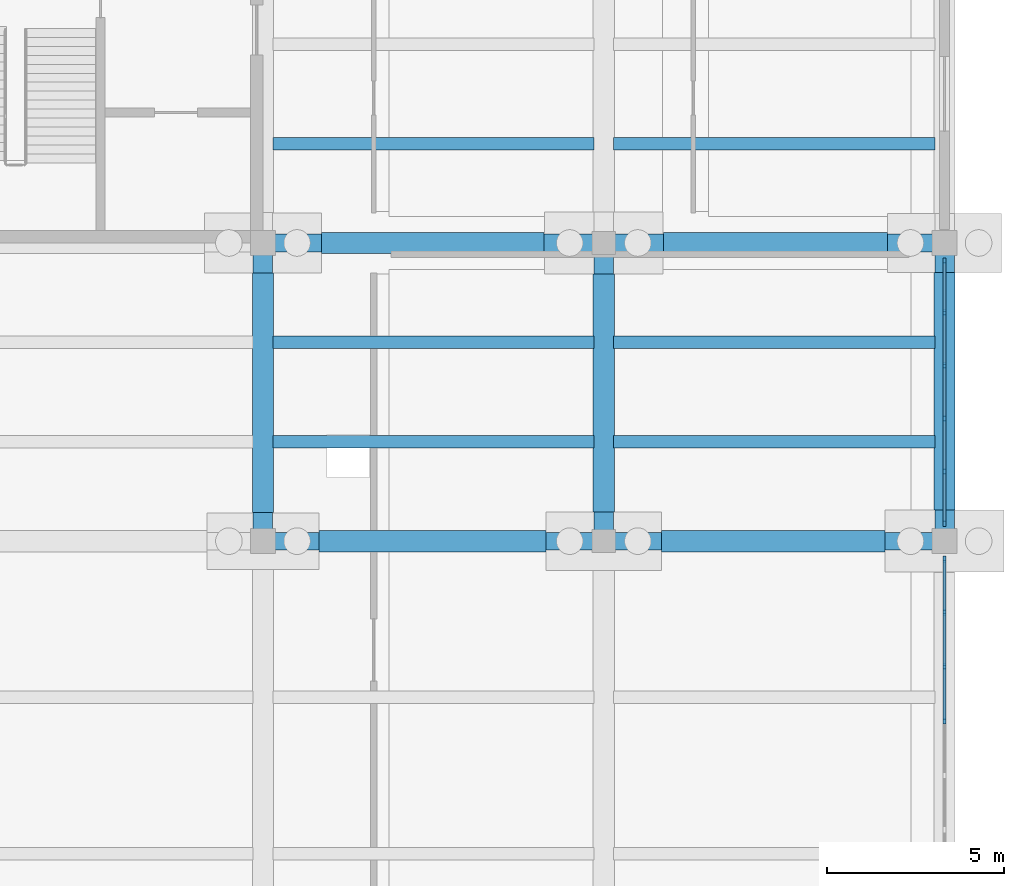
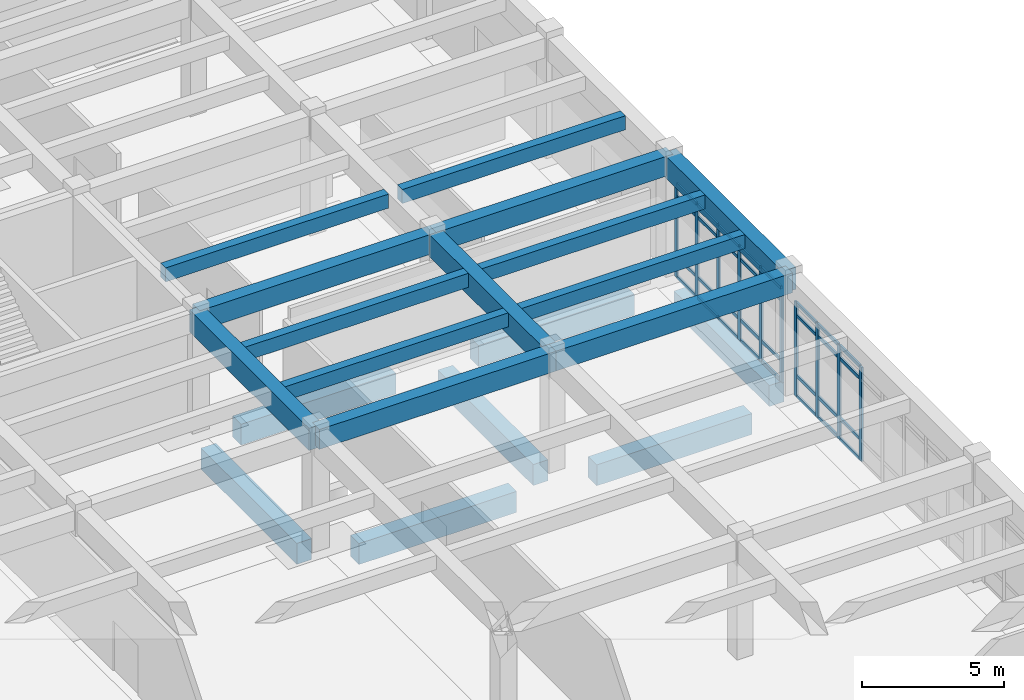
# One storey, part 48 of 102: 42 members, 20 beams, 2 elements without a shape of their own.
"""IFC4 building model written with IfcOpenShell, lengths in metres."""

from ifc_helpers import new_model, si_unit, direction, frame, origin, origin_2d, place, context, subcontext, project, spatial, rectangle, extrude, material, layer, layer_set, material_profile, profile_set, type_object, element, aggregate, save


model = new_model("IFC4")

# Units and contexts
model_context = context("Model", 3, precision=1e-05, world=origin(), true_north=direction((0.0, 1.0)))
body_context = subcontext(model_context, "Body", "Model", "MODEL_VIEW")
ifc_project = project(units=[si_unit("LENGTHUNIT", "METRE"), si_unit("AREAUNIT", "SQUARE_METRE"), si_unit("VOLUMEUNIT", "CUBIC_METRE"), si_unit("PLANEANGLEUNIT", "RADIAN"), si_unit("MASSUNIT", "GRAM", prefix="KILO")], contexts=[model_context])

# Site, building, storey
site_placement = place(None, origin())
site = spatial("IfcSite", under=ifc_project, at=site_placement, CompositionType="ELEMENT")
building_placement = place(site_placement, origin())
building = spatial("IfcBuilding", under=site, at=building_placement, Name="Kolvemor Railside Polytechnic", CompositionType="ELEMENT")
storey_placement = place(building_placement, origin())
storey = spatial("IfcBuildingStorey", under=building, at=storey_placement, Name="L00", CompositionType="ELEMENT", Elevation=0.0)

# Beams
ifc_material_1 = material(Name="Concrete C40/50", Category="concrete")
ifc_material_profile_1 = material_profile(ifc_material_1, rectangle(XDim=0.550048828125, YDim=0.949951171875, at=origin_2d()), Name="RC550x950")
ifc_profile_set_1 = profile_set([ifc_material_profile_1], Name="Concrete C40/50")
beam_type_1 = type_object("IfcBeamType", Name="BM-RC-GIRD", PredefinedType="BEAM", material=ifc_profile_set_1)
for number, where, z_axis, x_axis, name in (
    (1, (163.199951171875, 51.60009765625, 4.635009765625), (0.0, 1.0, 0.0), (-1.0, 0.0, 0.0), "Primary Girder L01-GY 0401"),
    (2, (172.800048828125, 51.60009765625, 4.635009765625), (0.0, 1.0, 0.0), (-1.0, 0.0, 0.0), "Primary Girder L01-GY 0410"),
    (3, (182.39990234375, 51.60009765625, 4.635009765625), (0.0, 1.0, 0.0), (-1.0, 0.0, 0.0), "Primary Girder L01-GY 0419"),
):
    element("IfcBeam", number, at=place(storey_placement, frame(where, z_axis=z_axis, x_axis=x_axis)), inside=storey, type_object=beam_type_1, Name=name, PredefinedType="BEAM", context=body_context, shape_type="SweptSolid", body=[
        extrude(rectangle(XDim=0.550048828125, YDim=0.949951171875, at=origin_2d()), origin(), (0.0, 0.0, 1.0), 8.39990234375),
    ])
ifc_material_2 = material(Name="Concrete C40/50", Category="concrete")
ifc_material_profile_2 = material_profile(ifc_material_2, rectangle(XDim=0.5, YDim=0.85009765625, at=origin_2d()), Name="RC500x850")
ifc_profile_set_2 = profile_set([ifc_material_profile_2], Name="Concrete C40/50")
beam_type_2 = type_object("IfcBeamType", Name="BM-RC-GIRD3", PredefinedType="BEAM", material=ifc_profile_set_2)
beam_1_placement = place(storey_placement, frame((163.199951171875, 51.60009765625, 4.68505859375), z_axis=(1.0, 0.0, 0.0), x_axis=(0.0, 1.0, 0.0)))
element("IfcBeam", 4, at=beam_1_placement, inside=storey, type_object=beam_type_2, Name="Primary Girder L01-GX 0360", PredefinedType="BEAM", context=body_context, shape_type="SweptSolid", body=[
    extrude(rectangle(XDim=0.5, YDim=0.85009765625, at=origin_2d()), origin(), (0.0, 0.0, 1.0), 9.60009765625),
])
beam_2_placement = place(storey_placement, frame((172.800048828125, 51.60009765625, 4.68505859375), z_axis=(1.0, 0.0, 0.0), x_axis=(0.0, 1.0, 0.0)))
element("IfcBeam", 5, at=beam_2_placement, inside=storey, type_object=beam_type_2, Name="Primary Girder L01-GX 0361", PredefinedType="BEAM", context=body_context, shape_type="SweptSolid", body=[
    extrude(rectangle(XDim=0.5, YDim=0.85009765625, at=origin_2d()), origin(), (0.0, 0.0, 1.0), 9.599853515625),
])
beam_3_placement = place(storey_placement, frame((163.199951171875, 60.0, 4.68505859375), z_axis=(1.0, 0.0, 0.0), x_axis=(0.0, 1.0, 0.0)))
element("IfcBeam", 6, at=beam_3_placement, inside=storey, type_object=beam_type_2, Name="Primary Girder L01-GX 0364", PredefinedType="BEAM", context=body_context, shape_type="SweptSolid", body=[
    extrude(rectangle(XDim=0.5, YDim=0.85009765625, at=origin_2d()), origin(), (0.0, 0.0, 1.0), 9.60009765625),
])
beam_4_placement = place(storey_placement, frame((172.800048828125, 60.0, 4.68505859375), z_axis=(1.0, 0.0, 0.0), x_axis=(0.0, 1.0, 0.0)))
element("IfcBeam", 7, at=beam_4_placement, inside=storey, type_object=beam_type_2, Name="Primary Girder L01-GX 0365", PredefinedType="BEAM", context=body_context, shape_type="SweptSolid", body=[
    extrude(rectangle(XDim=0.5, YDim=0.85009765625, at=origin_2d()), origin(), (0.0, 0.0, 1.0), 9.599853515625),
])
ifc_material_3 = material(Name="Concrete C40/50", Category="concrete")
ifc_material_profile_3 = material_profile(ifc_material_3, rectangle(XDim=0.35009765625, YDim=0.60009765625, at=origin_2d()), Name="RC350x600")
ifc_profile_set_3 = profile_set([ifc_material_profile_3], Name="Concrete C40/50")
beam_type_3 = type_object("IfcBeamType", Name="BM-RC-SEC3", PredefinedType="JOIST", material=ifc_profile_set_3)
for number, where, z_axis, x_axis, name in (
    (8, (163.47509765625, 54.39990234375, 4.81005859375), (1.0, 0.0, 0.0), (0.0, 1.0, 0.0), "Floor Joist L01-J0465"),
    (9, (163.47509765625, 57.199951171875, 4.81005859375), (1.0, 0.0, 0.0), (0.0, 1.0, 0.0), "Floor Joist L01-J0466"),
    (10, (163.47509765625, 62.800048828125, 4.81005859375), (1.0, 0.0, 0.0), (0.0, 1.0, 0.0), "Floor Joist L01-J0467"),
):
    element("IfcBeam", number, at=place(storey_placement, frame(where, z_axis=z_axis, x_axis=x_axis)), inside=storey, type_object=beam_type_3, Name=name, PredefinedType="JOIST", context=body_context, shape_type="SweptSolid", body=[
        extrude(rectangle(XDim=0.35009765625, YDim=0.60009765625, at=origin_2d()), origin(), (0.0, 0.0, 1.0), 9.0498046875),
    ])
for number, where, z_axis, x_axis, name in (
    (11, (173.074951171875, 54.39990234375, 4.81005859375), (1.0, 0.0, 0.0), (0.0, 1.0, 0.0), "Floor Joist L01-J0483"),
    (12, (173.074951171875, 57.199951171875, 4.81005859375), (1.0, 0.0, 0.0), (0.0, 1.0, 0.0), "Floor Joist L01-J0484"),
    (13, (173.074951171875, 62.800048828125, 4.81005859375), (1.0, 0.0, 0.0), (0.0, 1.0, 0.0), "Floor Joist L01-J0485"),
):
    element("IfcBeam", number, at=place(storey_placement, frame(where, z_axis=z_axis, x_axis=x_axis)), inside=storey, type_object=beam_type_3, Name=name, PredefinedType="JOIST", context=body_context, shape_type="SweptSolid", body=[
        extrude(rectangle(XDim=0.35009765625, YDim=0.60009765625, at=origin_2d()), origin(), (0.0, 0.0, 1.0), 9.050048828125),
    ])
ifc_material_4 = material(Name="Concrete C40/50", Category="concrete")
ifc_material_profile_4 = material_profile(ifc_material_4, rectangle(XDim=0.60009765625, YDim=0.89990234375, at=origin_2d()), Name="RC600x900")
ifc_profile_set_4 = profile_set([ifc_material_profile_4], Name="Concrete C40/50")
beam_type_4 = type_object("IfcBeamType", Name="BM-RC-TIE", PredefinedType="BEAM", material=ifc_profile_set_4)
beam_5_placement = place(storey_placement, frame((164.777099609375, 51.60009765625, -0.75), z_axis=(1.0, 0.0, 0.0), x_axis=(0.0, 1.0, 0.0)))
element("IfcBeam", 14, at=beam_5_placement, inside=storey, type_object=beam_type_4, Name="Ground Tie Beam GTB-X143", PredefinedType="BEAM", context=body_context, shape_type="SweptSolid", body=[
    extrude(rectangle(XDim=0.60009765625, YDim=0.89990234375, at=origin_2d()), origin(), (0.0, 0.0, 1.0), 6.39599609375),
])
beam_6_placement = place(storey_placement, frame((174.427001953125, 51.60009765625, -0.75), z_axis=(1.0, 0.0, 0.0), x_axis=(0.0, 1.0, 0.0)))
element("IfcBeam", 15, at=beam_6_placement, inside=storey, type_object=beam_type_4, Name="Ground Tie Beam GTB-X144", PredefinedType="BEAM", context=body_context, shape_type="SweptSolid", body=[
    extrude(rectangle(XDim=0.60009765625, YDim=0.89990234375, at=origin_2d()), origin(), (0.0, 0.0, 1.0), 6.2958984375),
])
beam_7_placement = place(storey_placement, frame((164.85205078125, 60.0, -0.75), z_axis=(1.0, 0.0, 0.0), x_axis=(0.0, 1.0, 0.0)))
element("IfcBeam", 16, at=beam_7_placement, inside=storey, type_object=beam_type_4, Name="Ground Tie Beam GTB-X153", PredefinedType="BEAM", context=body_context, shape_type="SweptSolid", body=[
    extrude(rectangle(XDim=0.60009765625, YDim=0.89990234375, at=origin_2d()), origin(), (0.0, 0.0, 1.0), 6.27099609375),
])
beam_8_placement = place(storey_placement, frame((174.47705078125, 60.0, -0.75), z_axis=(1.0, 0.0, 0.0), x_axis=(0.0, 1.0, 0.0)))
element("IfcBeam", 17, at=beam_8_placement, inside=storey, type_object=beam_type_4, Name="Ground Tie Beam GTB-X154", PredefinedType="BEAM", context=body_context, shape_type="SweptSolid", body=[
    extrude(rectangle(XDim=0.60009765625, YDim=0.89990234375, at=origin_2d()), origin(), (0.0, 0.0, 1.0), 6.321044921875),
])
beam_9_placement = place(storey_placement, frame((163.199951171875, 52.402099609375, -0.75), z_axis=(0.0, 1.0, 0.0), x_axis=(-1.0, 0.0, 0.0)))
element("IfcBeam", 18, at=beam_9_placement, inside=storey, type_object=beam_type_4, Name="Ground Tie Beam GTB-Y423", PredefinedType="BEAM", context=body_context, shape_type="SweptSolid", body=[
    extrude(rectangle(XDim=0.60009765625, YDim=0.89990234375, at=origin_2d()), origin(), (0.0, 0.0, 1.0), 6.745849609375),
])
for number, where, z_axis, x_axis, name in (
    (19, (172.800048828125, 52.427001953125, -0.75), (0.0, 1.0, 0.0), (-1.0, 0.0, 0.0), "Ground Tie Beam GTB-Y434"),
    (20, (182.39990234375, 52.47705078125, -0.75), (0.0, 1.0, 0.0), (-1.0, 0.0, 0.0), "Ground Tie Beam GTB-Y444"),
):
    element("IfcBeam", number, at=place(storey_placement, frame(where, z_axis=z_axis, x_axis=x_axis)), inside=storey, type_object=beam_type_4, Name=name, PredefinedType="BEAM", context=body_context, shape_type="SweptSolid", body=[
        extrude(rectangle(XDim=0.60009765625, YDim=0.89990234375, at=origin_2d()), origin(), (0.0, 0.0, 1.0), 6.696044921875),
    ])

# Curtain wall, members
ifc_material_5 = material(Name="Anodised marine aluminium and laminated low-E glass", Category="aluminium")
ifc_layer = layer(ifc_material_5, 0.179931640625, Name="CW-UNIT-STD")
ifc_layer_set = layer_set([ifc_layer], Name="Anodised marine aluminium and laminated low-E glass")
curtain_wall_type = type_object("IfcCurtainWallType", Name="CW-UNIT-STD", PredefinedType="USERDEFINED", material=ifc_layer_set)
curtain_wall_1_placement = place(storey_placement, origin())
curtain_wall_1 = element("IfcCurtainWall", 21, at=curtain_wall_1_placement, inside=storey, type_object=curtain_wall_type, Name="Curtain Wall L00-059", ObjectType="UNITISED CURTAIN WALL", PredefinedType="USERDEFINED")
ifc_material_6 = material(Name="Anodised marine aluminium 6063-T6", Category="aluminium")
ifc_material_profile_5 = material_profile(ifc_material_6, rectangle(XDim=0.074951171875, YDim=0.179931640625, at=origin_2d()), Name="CW-MUL-75x180")
ifc_profile_set_5 = profile_set([ifc_material_profile_5], Name="Anodised marine aluminium 6063-T6")
member_type_1 = type_object("IfcMemberType", Name="CWM-75x180", PredefinedType="MULLION", material=ifc_profile_set_5)
member_1_placement = place(storey_placement, frame((182.39990234375, 46.532470703125, 0.0), z_axis=(0.0, 0.0, 1.0), x_axis=(-1.0, 0.0, 0.0)))
member_1 = element("IfcMember", 22, at=member_1_placement, type_object=member_type_1, Name="CW-STD mullion 6", PredefinedType="MULLION", context=body_context, shape_type="SweptSolid", body=[
    extrude(rectangle(XDim=0.074951171875, YDim=0.179931640625, at=origin_2d()), origin(), (0.0, 0.0, 1.0), 4.0400390625),
])
member_2_placement = place(storey_placement, frame((182.39990234375, 48.06494140625, 0.0), z_axis=(0.0, 0.0, 1.0), x_axis=(-1.0, 0.0, 0.0)))
member_2 = element("IfcMember", 23, at=member_2_placement, type_object=member_type_1, Name="CW-STD mullion 7", PredefinedType="MULLION", context=body_context, shape_type="SweptSolid", body=[
    extrude(rectangle(XDim=0.074951171875, YDim=0.179931640625, at=origin_2d()), origin(), (0.0, 0.0, 1.0), 4.0400390625),
])
member_3_placement = place(storey_placement, frame((182.39990234375, 49.597412109375, 0.0), z_axis=(0.0, 0.0, 1.0), x_axis=(-1.0, 0.0, 0.0)))
member_3 = element("IfcMember", 24, at=member_3_placement, type_object=member_type_1, Name="CW-STD mullion 8", PredefinedType="MULLION", context=body_context, shape_type="SweptSolid", body=[
    extrude(rectangle(XDim=0.074951171875, YDim=0.179931640625, at=origin_2d()), origin(), (0.0, 0.0, 1.0), 4.0400390625),
])
member_4_placement = place(storey_placement, frame((182.39990234375, 51.092529296875, 0.0), z_axis=(0.0, 0.0, 1.0), x_axis=(-1.0, 0.0, 0.0)))
member_4 = element("IfcMember", 25, at=member_4_placement, type_object=member_type_1, Name="CW-STD mullion 9", PredefinedType="MULLION", context=body_context, shape_type="SweptSolid", body=[
    extrude(rectangle(XDim=0.074951171875, YDim=0.179931640625, at=origin_2d()), origin(), (0.0, 0.0, 1.0), 4.0400390625),
])

curtain_wall_2_placement = place(storey_placement, origin())
curtain_wall_2 = element("IfcCurtainWall", 26, at=curtain_wall_2_placement, inside=storey, type_object=curtain_wall_type, Name="Curtain Wall L00-069", ObjectType="UNITISED CURTAIN WALL", PredefinedType="USERDEFINED")
member_5_placement = place(storey_placement, frame((182.39990234375, 52.107421875, 0.0), z_axis=(0.0, 0.0, 1.0), x_axis=(-1.0, 0.0, 0.0)))
member_5 = element("IfcMember", 27, at=member_5_placement, type_object=member_type_1, Name="CW-STD mullion 1", PredefinedType="MULLION", context=body_context, shape_type="SweptSolid", body=[
    extrude(rectangle(XDim=0.074951171875, YDim=0.179931640625, at=origin_2d()), origin(), (0.0, 0.0, 1.0), 4.0400390625),
])
member_6_placement = place(storey_placement, frame((182.39990234375, 53.56201171875, 0.0), z_axis=(0.0, 0.0, 1.0), x_axis=(-1.0, 0.0, 0.0)))
member_6 = element("IfcMember", 28, at=member_6_placement, type_object=member_type_1, Name="CW-STD mullion 2", PredefinedType="MULLION", context=body_context, shape_type="SweptSolid", body=[
    extrude(rectangle(XDim=0.074951171875, YDim=0.179931640625, at=origin_2d()), origin(), (0.0, 0.0, 1.0), 4.0400390625),
])
member_7_placement = place(storey_placement, frame((182.39990234375, 55.053955078125, 0.0), z_axis=(0.0, 0.0, 1.0), x_axis=(-1.0, 0.0, 0.0)))
member_7 = element("IfcMember", 29, at=member_7_placement, type_object=member_type_1, Name="CW-STD mullion 3", PredefinedType="MULLION", context=body_context, shape_type="SweptSolid", body=[
    extrude(rectangle(XDim=0.074951171875, YDim=0.179931640625, at=origin_2d()), origin(), (0.0, 0.0, 1.0), 4.0400390625),
])
member_8_placement = place(storey_placement, frame((182.39990234375, 56.5458984375, 0.0), z_axis=(0.0, 0.0, 1.0), x_axis=(-1.0, 0.0, 0.0)))
member_8 = element("IfcMember", 30, at=member_8_placement, type_object=member_type_1, Name="CW-STD mullion 4", PredefinedType="MULLION", context=body_context, shape_type="SweptSolid", body=[
    extrude(rectangle(XDim=0.074951171875, YDim=0.179931640625, at=origin_2d()), origin(), (0.0, 0.0, 1.0), 4.0400390625),
])
member_9_placement = place(storey_placement, frame((182.39990234375, 58.0380859375, 0.0), z_axis=(0.0, 0.0, 1.0), x_axis=(-1.0, 0.0, 0.0)))
member_9 = element("IfcMember", 31, at=member_9_placement, type_object=member_type_1, Name="CW-STD mullion 5", PredefinedType="MULLION", context=body_context, shape_type="SweptSolid", body=[
    extrude(rectangle(XDim=0.074951171875, YDim=0.179931640625, at=origin_2d()), origin(), (0.0, 0.0, 1.0), 4.0400390625),
])
member_10_placement = place(storey_placement, frame((182.39990234375, 59.492431640625, 0.0), z_axis=(0.0, 0.0, 1.0), x_axis=(-1.0, 0.0, 0.0)))
member_10 = element("IfcMember", 32, at=member_10_placement, type_object=member_type_1, Name="CW-STD mullion 6", PredefinedType="MULLION", context=body_context, shape_type="SweptSolid", body=[
    extrude(rectangle(XDim=0.074951171875, YDim=0.179931640625, at=origin_2d()), origin(), (0.0, 0.0, 1.0), 4.0400390625),
])

# Member
ifc_material_7 = material(Name="Anodised marine aluminium 6063-T6", Category="aluminium")
ifc_material_profile_6 = material_profile(ifc_material_7, rectangle(XDim=0.074951171875, YDim=0.139892578125, at=origin_2d()), Name="CW-TRN-75x140")
ifc_profile_set_6 = profile_set([ifc_material_profile_6], Name="Anodised marine aluminium 6063-T6")
member_type_2 = type_object("IfcMemberType", Name="CWT-75x140", PredefinedType="USERDEFINED", material=ifc_profile_set_6)
member_11_placement = place(storey_placement, frame((182.39990234375, 46.570068359375, 0.03759765625), z_axis=(0.0, 1.0, 0.0), x_axis=(-1.0, 0.0, 0.0)))
member_11 = element("IfcMember", 33, at=member_11_placement, type_object=member_type_2, Name="CW-STD transom 6.1", ObjectType="TRANSOM", PredefinedType="USERDEFINED", context=body_context, shape_type="SweptSolid", body=[
    extrude(rectangle(XDim=0.074951171875, YDim=0.139892578125, at=origin_2d()), origin(), (0.0, 0.0, 1.0), 1.45751953125),
])

member_12_placement = place(storey_placement, frame((182.39990234375, 46.570068359375, 0.89990234375), z_axis=(0.0, 1.0, 0.0), x_axis=(-1.0, 0.0, 0.0)))
member_12 = element("IfcMember", 34, at=member_12_placement, type_object=member_type_2, Name="CW-STD transom 6.2", ObjectType="TRANSOM", PredefinedType="USERDEFINED", context=body_context, shape_type="SweptSolid", body=[
    extrude(rectangle(XDim=0.074951171875, YDim=0.139892578125, at=origin_2d()), origin(), (0.0, 0.0, 1.0), 1.45751953125),
])

member_13_placement = place(storey_placement, frame((182.39990234375, 46.570068359375, 3.489990234375), z_axis=(0.0, 1.0, 0.0), x_axis=(-1.0, 0.0, 0.0)))
member_13 = element("IfcMember", 35, at=member_13_placement, type_object=member_type_2, Name="CW-STD transom 6.3", ObjectType="TRANSOM", PredefinedType="USERDEFINED", context=body_context, shape_type="SweptSolid", body=[
    extrude(rectangle(XDim=0.074951171875, YDim=0.139892578125, at=origin_2d()), origin(), (0.0, 0.0, 1.0), 1.45751953125),
])

member_14_placement = place(storey_placement, frame((182.39990234375, 46.570068359375, 4.00244140625), z_axis=(0.0, 1.0, 0.0), x_axis=(-1.0, 0.0, 0.0)))
member_14 = element("IfcMember", 36, at=member_14_placement, type_object=member_type_2, Name="CW-STD transom 6.4", ObjectType="TRANSOM", PredefinedType="USERDEFINED", context=body_context, shape_type="SweptSolid", body=[
    extrude(rectangle(XDim=0.074951171875, YDim=0.139892578125, at=origin_2d()), origin(), (0.0, 0.0, 1.0), 1.45751953125),
])

member_15_placement = place(storey_placement, frame((182.39990234375, 48.1025390625, 0.03759765625), z_axis=(0.0, 1.0, 0.0), x_axis=(-1.0, 0.0, 0.0)))
member_15 = element("IfcMember", 37, at=member_15_placement, type_object=member_type_2, Name="CW-STD transom 7.1", ObjectType="TRANSOM", PredefinedType="USERDEFINED", context=body_context, shape_type="SweptSolid", body=[
    extrude(rectangle(XDim=0.074951171875, YDim=0.139892578125, at=origin_2d()), origin(), (0.0, 0.0, 1.0), 1.45751953125),
])

member_16_placement = place(storey_placement, frame((182.39990234375, 48.1025390625, 0.89990234375), z_axis=(0.0, 1.0, 0.0), x_axis=(-1.0, 0.0, 0.0)))
member_16 = element("IfcMember", 38, at=member_16_placement, type_object=member_type_2, Name="CW-STD transom 7.2", ObjectType="TRANSOM", PredefinedType="USERDEFINED", context=body_context, shape_type="SweptSolid", body=[
    extrude(rectangle(XDim=0.074951171875, YDim=0.139892578125, at=origin_2d()), origin(), (0.0, 0.0, 1.0), 1.45751953125),
])

member_17_placement = place(storey_placement, frame((182.39990234375, 48.1025390625, 3.489990234375), z_axis=(0.0, 1.0, 0.0), x_axis=(-1.0, 0.0, 0.0)))
member_17 = element("IfcMember", 39, at=member_17_placement, type_object=member_type_2, Name="CW-STD transom 7.3", ObjectType="TRANSOM", PredefinedType="USERDEFINED", context=body_context, shape_type="SweptSolid", body=[
    extrude(rectangle(XDim=0.074951171875, YDim=0.139892578125, at=origin_2d()), origin(), (0.0, 0.0, 1.0), 1.45751953125),
])

member_18_placement = place(storey_placement, frame((182.39990234375, 48.1025390625, 4.00244140625), z_axis=(0.0, 1.0, 0.0), x_axis=(-1.0, 0.0, 0.0)))
member_18 = element("IfcMember", 40, at=member_18_placement, type_object=member_type_2, Name="CW-STD transom 7.4", ObjectType="TRANSOM", PredefinedType="USERDEFINED", context=body_context, shape_type="SweptSolid", body=[
    extrude(rectangle(XDim=0.074951171875, YDim=0.139892578125, at=origin_2d()), origin(), (0.0, 0.0, 1.0), 1.45751953125),
])

member_19_placement = place(storey_placement, frame((182.39990234375, 49.635009765625, 0.03759765625), z_axis=(0.0, 1.0, 0.0), x_axis=(-1.0, 0.0, 0.0)))
member_19 = element("IfcMember", 41, at=member_19_placement, type_object=member_type_2, Name="CW-STD transom 8.1", ObjectType="TRANSOM", PredefinedType="USERDEFINED", context=body_context, shape_type="SweptSolid", body=[
    extrude(rectangle(XDim=0.074951171875, YDim=0.139892578125, at=origin_2d()), origin(), (0.0, 0.0, 1.0), 1.419921875),
])

member_20_placement = place(storey_placement, frame((182.39990234375, 49.635009765625, 0.89990234375), z_axis=(0.0, 1.0, 0.0), x_axis=(-1.0, 0.0, 0.0)))
member_20 = element("IfcMember", 42, at=member_20_placement, type_object=member_type_2, Name="CW-STD transom 8.2", ObjectType="TRANSOM", PredefinedType="USERDEFINED", context=body_context, shape_type="SweptSolid", body=[
    extrude(rectangle(XDim=0.074951171875, YDim=0.139892578125, at=origin_2d()), origin(), (0.0, 0.0, 1.0), 1.419921875),
])

member_21_placement = place(storey_placement, frame((182.39990234375, 49.635009765625, 3.489990234375), z_axis=(0.0, 1.0, 0.0), x_axis=(-1.0, 0.0, 0.0)))
member_21 = element("IfcMember", 43, at=member_21_placement, type_object=member_type_2, Name="CW-STD transom 8.3", ObjectType="TRANSOM", PredefinedType="USERDEFINED", context=body_context, shape_type="SweptSolid", body=[
    extrude(rectangle(XDim=0.074951171875, YDim=0.139892578125, at=origin_2d()), origin(), (0.0, 0.0, 1.0), 1.419921875),
])

member_22_placement = place(storey_placement, frame((182.39990234375, 49.635009765625, 4.00244140625), z_axis=(0.0, 1.0, 0.0), x_axis=(-1.0, 0.0, 0.0)))
member_22 = element("IfcMember", 44, at=member_22_placement, type_object=member_type_2, Name="CW-STD transom 8.4", ObjectType="TRANSOM", PredefinedType="USERDEFINED", context=body_context, shape_type="SweptSolid", body=[
    extrude(rectangle(XDim=0.074951171875, YDim=0.139892578125, at=origin_2d()), origin(), (0.0, 0.0, 1.0), 1.419921875),
])

aggregate(curtain_wall_1, [member_1, member_2, member_3, member_4, member_11, member_12, member_13, member_14, member_15, member_16, member_17, member_18, member_19, member_20, member_21, member_22])

member_23_placement = place(storey_placement, frame((182.39990234375, 52.14501953125, 0.03759765625), z_axis=(0.0, 1.0, 0.0), x_axis=(-1.0, 0.0, 0.0)))
member_23 = element("IfcMember", 45, at=member_23_placement, type_object=member_type_2, Name="CW-STD transom 1.1", ObjectType="TRANSOM", PredefinedType="USERDEFINED", context=body_context, shape_type="SweptSolid", body=[
    extrude(rectangle(XDim=0.074951171875, YDim=0.139892578125, at=origin_2d()), origin(), (0.0, 0.0, 1.0), 1.37939453125),
])

member_24_placement = place(storey_placement, frame((182.39990234375, 52.14501953125, 0.89990234375), z_axis=(0.0, 1.0, 0.0), x_axis=(-1.0, 0.0, 0.0)))
member_24 = element("IfcMember", 46, at=member_24_placement, type_object=member_type_2, Name="CW-STD transom 1.2", ObjectType="TRANSOM", PredefinedType="USERDEFINED", context=body_context, shape_type="SweptSolid", body=[
    extrude(rectangle(XDim=0.074951171875, YDim=0.139892578125, at=origin_2d()), origin(), (0.0, 0.0, 1.0), 1.37939453125),
])

member_25_placement = place(storey_placement, frame((182.39990234375, 52.14501953125, 3.489990234375), z_axis=(0.0, 1.0, 0.0), x_axis=(-1.0, 0.0, 0.0)))
member_25 = element("IfcMember", 47, at=member_25_placement, type_object=member_type_2, Name="CW-STD transom 1.3", ObjectType="TRANSOM", PredefinedType="USERDEFINED", context=body_context, shape_type="SweptSolid", body=[
    extrude(rectangle(XDim=0.074951171875, YDim=0.139892578125, at=origin_2d()), origin(), (0.0, 0.0, 1.0), 1.37939453125),
])

member_26_placement = place(storey_placement, frame((182.39990234375, 52.14501953125, 4.00244140625), z_axis=(0.0, 1.0, 0.0), x_axis=(-1.0, 0.0, 0.0)))
member_26 = element("IfcMember", 48, at=member_26_placement, type_object=member_type_2, Name="CW-STD transom 1.4", ObjectType="TRANSOM", PredefinedType="USERDEFINED", context=body_context, shape_type="SweptSolid", body=[
    extrude(rectangle(XDim=0.074951171875, YDim=0.139892578125, at=origin_2d()), origin(), (0.0, 0.0, 1.0), 1.37939453125),
])

member_27_placement = place(storey_placement, frame((182.39990234375, 53.599609375, 0.03759765625), z_axis=(0.0, 1.0, 0.0), x_axis=(-1.0, 0.0, 0.0)))
member_27 = element("IfcMember", 49, at=member_27_placement, type_object=member_type_2, Name="CW-STD transom 2.1", ObjectType="TRANSOM", PredefinedType="USERDEFINED", context=body_context, shape_type="SweptSolid", body=[
    extrude(rectangle(XDim=0.074951171875, YDim=0.139892578125, at=origin_2d()), origin(), (0.0, 0.0, 1.0), 1.4169921875),
])

member_28_placement = place(storey_placement, frame((182.39990234375, 53.599609375, 0.89990234375), z_axis=(0.0, 1.0, 0.0), x_axis=(-1.0, 0.0, 0.0)))
member_28 = element("IfcMember", 50, at=member_28_placement, type_object=member_type_2, Name="CW-STD transom 2.2", ObjectType="TRANSOM", PredefinedType="USERDEFINED", context=body_context, shape_type="SweptSolid", body=[
    extrude(rectangle(XDim=0.074951171875, YDim=0.139892578125, at=origin_2d()), origin(), (0.0, 0.0, 1.0), 1.4169921875),
])

member_29_placement = place(storey_placement, frame((182.39990234375, 53.599609375, 3.489990234375), z_axis=(0.0, 1.0, 0.0), x_axis=(-1.0, 0.0, 0.0)))
member_29 = element("IfcMember", 51, at=member_29_placement, type_object=member_type_2, Name="CW-STD transom 2.3", ObjectType="TRANSOM", PredefinedType="USERDEFINED", context=body_context, shape_type="SweptSolid", body=[
    extrude(rectangle(XDim=0.074951171875, YDim=0.139892578125, at=origin_2d()), origin(), (0.0, 0.0, 1.0), 1.4169921875),
])

member_30_placement = place(storey_placement, frame((182.39990234375, 53.599609375, 4.00244140625), z_axis=(0.0, 1.0, 0.0), x_axis=(-1.0, 0.0, 0.0)))
member_30 = element("IfcMember", 52, at=member_30_placement, type_object=member_type_2, Name="CW-STD transom 2.4", ObjectType="TRANSOM", PredefinedType="USERDEFINED", context=body_context, shape_type="SweptSolid", body=[
    extrude(rectangle(XDim=0.074951171875, YDim=0.139892578125, at=origin_2d()), origin(), (0.0, 0.0, 1.0), 1.4169921875),
])

member_31_placement = place(storey_placement, frame((182.39990234375, 55.091552734375, 0.03759765625), z_axis=(0.0, 1.0, 0.0), x_axis=(-1.0, 0.0, 0.0)))
member_31 = element("IfcMember", 53, at=member_31_placement, type_object=member_type_2, Name="CW-STD transom 3.1", ObjectType="TRANSOM", PredefinedType="USERDEFINED", context=body_context, shape_type="SweptSolid", body=[
    extrude(rectangle(XDim=0.074951171875, YDim=0.139892578125, at=origin_2d()), origin(), (0.0, 0.0, 1.0), 1.4169921875),
])

member_32_placement = place(storey_placement, frame((182.39990234375, 55.091552734375, 0.89990234375), z_axis=(0.0, 1.0, 0.0), x_axis=(-1.0, 0.0, 0.0)))
member_32 = element("IfcMember", 54, at=member_32_placement, type_object=member_type_2, Name="CW-STD transom 3.2", ObjectType="TRANSOM", PredefinedType="USERDEFINED", context=body_context, shape_type="SweptSolid", body=[
    extrude(rectangle(XDim=0.074951171875, YDim=0.139892578125, at=origin_2d()), origin(), (0.0, 0.0, 1.0), 1.4169921875),
])

member_33_placement = place(storey_placement, frame((182.39990234375, 55.091552734375, 3.489990234375), z_axis=(0.0, 1.0, 0.0), x_axis=(-1.0, 0.0, 0.0)))
member_33 = element("IfcMember", 55, at=member_33_placement, type_object=member_type_2, Name="CW-STD transom 3.3", ObjectType="TRANSOM", PredefinedType="USERDEFINED", context=body_context, shape_type="SweptSolid", body=[
    extrude(rectangle(XDim=0.074951171875, YDim=0.139892578125, at=origin_2d()), origin(), (0.0, 0.0, 1.0), 1.4169921875),
])

member_34_placement = place(storey_placement, frame((182.39990234375, 55.091552734375, 4.00244140625), z_axis=(0.0, 1.0, 0.0), x_axis=(-1.0, 0.0, 0.0)))
member_34 = element("IfcMember", 56, at=member_34_placement, type_object=member_type_2, Name="CW-STD transom 3.4", ObjectType="TRANSOM", PredefinedType="USERDEFINED", context=body_context, shape_type="SweptSolid", body=[
    extrude(rectangle(XDim=0.074951171875, YDim=0.139892578125, at=origin_2d()), origin(), (0.0, 0.0, 1.0), 1.4169921875),
])

member_35_placement = place(storey_placement, frame((182.39990234375, 56.58349609375, 0.03759765625), z_axis=(0.0, 1.0, 0.0), x_axis=(-1.0, 0.0, 0.0)))
member_35 = element("IfcMember", 57, at=member_35_placement, type_object=member_type_2, Name="CW-STD transom 4.1", ObjectType="TRANSOM", PredefinedType="USERDEFINED", context=body_context, shape_type="SweptSolid", body=[
    extrude(rectangle(XDim=0.074951171875, YDim=0.139892578125, at=origin_2d()), origin(), (0.0, 0.0, 1.0), 1.4169921875),
])

member_36_placement = place(storey_placement, frame((182.39990234375, 56.58349609375, 0.89990234375), z_axis=(0.0, 1.0, 0.0), x_axis=(-1.0, 0.0, 0.0)))
member_36 = element("IfcMember", 58, at=member_36_placement, type_object=member_type_2, Name="CW-STD transom 4.2", ObjectType="TRANSOM", PredefinedType="USERDEFINED", context=body_context, shape_type="SweptSolid", body=[
    extrude(rectangle(XDim=0.074951171875, YDim=0.139892578125, at=origin_2d()), origin(), (0.0, 0.0, 1.0), 1.4169921875),
])

member_37_placement = place(storey_placement, frame((182.39990234375, 56.58349609375, 3.489990234375), z_axis=(0.0, 1.0, 0.0), x_axis=(-1.0, 0.0, 0.0)))
member_37 = element("IfcMember", 59, at=member_37_placement, type_object=member_type_2, Name="CW-STD transom 4.3", ObjectType="TRANSOM", PredefinedType="USERDEFINED", context=body_context, shape_type="SweptSolid", body=[
    extrude(rectangle(XDim=0.074951171875, YDim=0.139892578125, at=origin_2d()), origin(), (0.0, 0.0, 1.0), 1.4169921875),
])

member_38_placement = place(storey_placement, frame((182.39990234375, 56.58349609375, 4.00244140625), z_axis=(0.0, 1.0, 0.0), x_axis=(-1.0, 0.0, 0.0)))
member_38 = element("IfcMember", 60, at=member_38_placement, type_object=member_type_2, Name="CW-STD transom 4.4", ObjectType="TRANSOM", PredefinedType="USERDEFINED", context=body_context, shape_type="SweptSolid", body=[
    extrude(rectangle(XDim=0.074951171875, YDim=0.139892578125, at=origin_2d()), origin(), (0.0, 0.0, 1.0), 1.4169921875),
])

member_39_placement = place(storey_placement, frame((182.39990234375, 58.075439453125, 0.03759765625), z_axis=(0.0, 1.0, 0.0), x_axis=(-1.0, 0.0, 0.0)))
member_39 = element("IfcMember", 61, at=member_39_placement, type_object=member_type_2, Name="CW-STD transom 5.1", ObjectType="TRANSOM", PredefinedType="USERDEFINED", context=body_context, shape_type="SweptSolid", body=[
    extrude(rectangle(XDim=0.074951171875, YDim=0.139892578125, at=origin_2d()), origin(), (0.0, 0.0, 1.0), 1.379638671875),
])

member_40_placement = place(storey_placement, frame((182.39990234375, 58.075439453125, 0.89990234375), z_axis=(0.0, 1.0, 0.0), x_axis=(-1.0, 0.0, 0.0)))
member_40 = element("IfcMember", 62, at=member_40_placement, type_object=member_type_2, Name="CW-STD transom 5.2", ObjectType="TRANSOM", PredefinedType="USERDEFINED", context=body_context, shape_type="SweptSolid", body=[
    extrude(rectangle(XDim=0.074951171875, YDim=0.139892578125, at=origin_2d()), origin(), (0.0, 0.0, 1.0), 1.379638671875),
])

member_41_placement = place(storey_placement, frame((182.39990234375, 58.075439453125, 3.489990234375), z_axis=(0.0, 1.0, 0.0), x_axis=(-1.0, 0.0, 0.0)))
member_41 = element("IfcMember", 63, at=member_41_placement, type_object=member_type_2, Name="CW-STD transom 5.3", ObjectType="TRANSOM", PredefinedType="USERDEFINED", context=body_context, shape_type="SweptSolid", body=[
    extrude(rectangle(XDim=0.074951171875, YDim=0.139892578125, at=origin_2d()), origin(), (0.0, 0.0, 1.0), 1.379638671875),
])

member_42_placement = place(storey_placement, frame((182.39990234375, 58.075439453125, 4.00244140625), z_axis=(0.0, 1.0, 0.0), x_axis=(-1.0, 0.0, 0.0)))
member_42 = element("IfcMember", 64, at=member_42_placement, type_object=member_type_2, Name="CW-STD transom 5.4", ObjectType="TRANSOM", PredefinedType="USERDEFINED", context=body_context, shape_type="SweptSolid", body=[
    extrude(rectangle(XDim=0.074951171875, YDim=0.139892578125, at=origin_2d()), origin(), (0.0, 0.0, 1.0), 1.379638671875),
])

aggregate(curtain_wall_2, [member_5, member_6, member_7, member_8, member_9, member_10, member_23, member_24, member_25, member_26, member_27, member_28, member_29, member_30, member_31, member_32, member_33, member_34, member_35, member_36, member_37, member_38, member_39, member_40, member_41, member_42])

save(model, "model.ifc")
